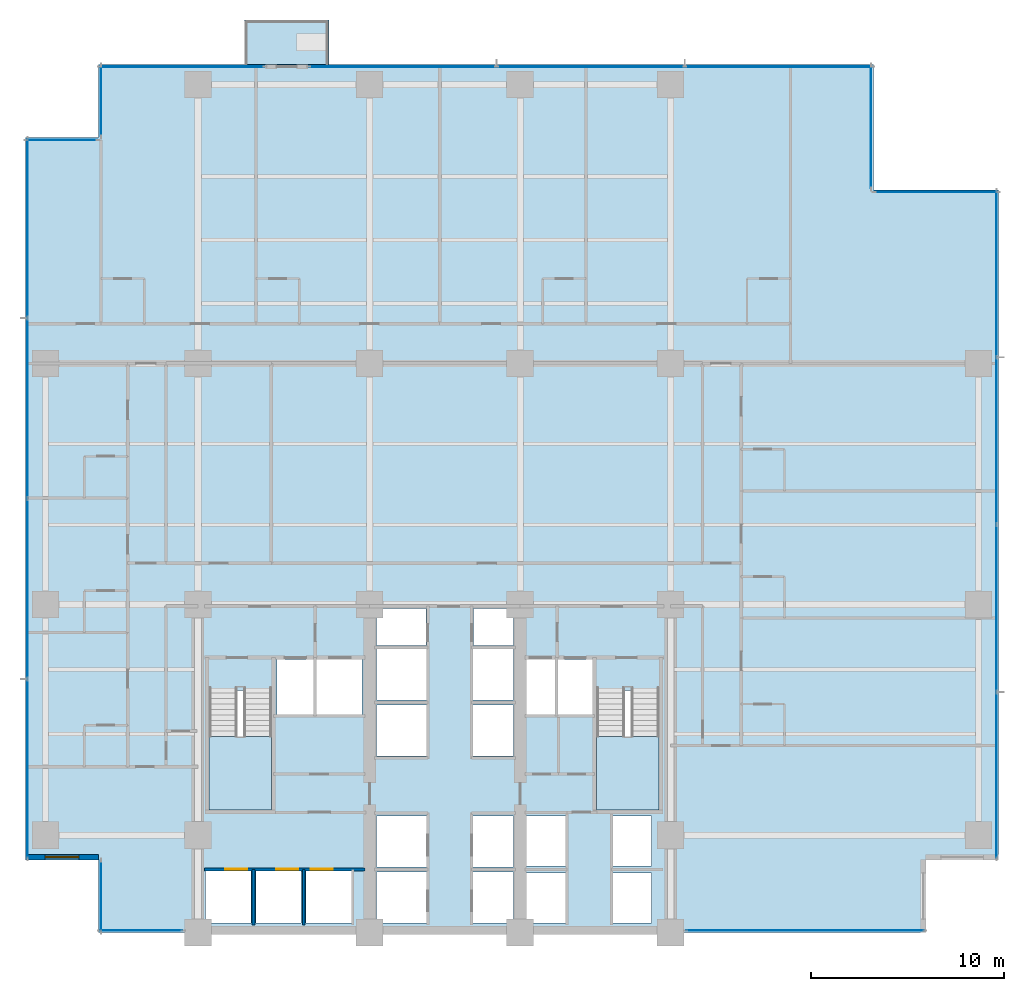
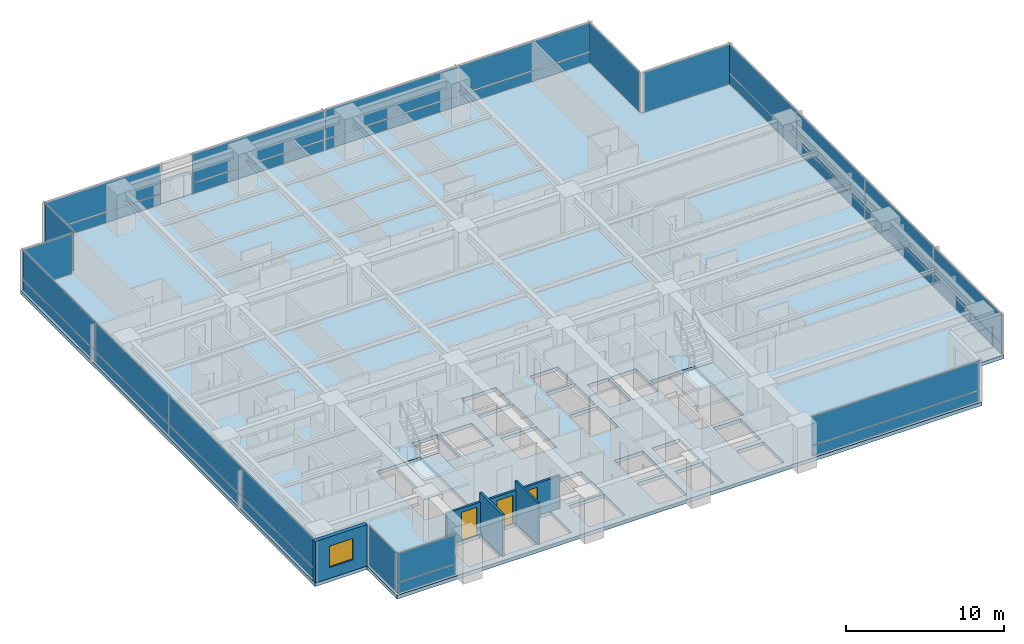
# One storey, part 6 of 17: 33 plates, 4 slabs, 4 walls, 3 doors, 1 window, 4 openings, 13 elements without a shape of their own.
"""IFC4 building model written with IfcOpenShell, lengths in metres."""

from ifc_helpers import new_model, si_unit, direction, frame, frame_2d, origin, origin_2d, place, context, subcontext, project, spatial, polyline, rectangle, outline, extrude, material, layer, layer_set, type_object, element, fill, aggregate, save


model = new_model("IFC4")

# Units and contexts
model_context = context("Model", 3, precision=1e-05, world=origin(), true_north=direction((0.0, 1.0)))
body_context = subcontext(model_context, "Body", "Model", "MODEL_VIEW")
ifc_project = project(units=[si_unit("LENGTHUNIT", "METRE"), si_unit("AREAUNIT", "SQUARE_METRE"), si_unit("VOLUMEUNIT", "CUBIC_METRE"), si_unit("PLANEANGLEUNIT", "RADIAN"), si_unit("MASSUNIT", "GRAM", prefix="KILO")], contexts=[model_context])

# Site, building, storey
site_placement = place(None, origin())
site = spatial("IfcSite", under=ifc_project, at=site_placement, CompositionType="ELEMENT")
building_placement = place(site_placement, origin())
building = spatial("IfcBuilding", under=site, at=building_placement, Name="Qalmaran Belvedere Hotel", CompositionType="ELEMENT")
storey_placement = place(building_placement, frame((0.0, 0.0, 68.39990234375)))
storey = spatial("IfcBuildingStorey", under=building, at=storey_placement, Name="L17", CompositionType="ELEMENT", Elevation=68.39990234375)

# Curtain wall, plate
ifc_material_1 = material(Name="Anodised Bronze Aluminium", Category="aluminium")
ifc_layer_1 = layer(ifc_material_1, 0.2099609375, Name="Anodised Bronze Aluminium")
ifc_layer_set_1 = layer_set([ifc_layer_1], Name="Anodised Bronze Aluminium")
curtain_wall_type = type_object("IfcCurtainWallType", Name="CW2-TOWER-LOWER", PredefinedType="NOTDEFINED", material=ifc_layer_set_1)
curtain_wall_1_placement = place(storey_placement, origin())
curtain_wall_1 = element("IfcCurtainWall", 1, at=curtain_wall_1_placement, inside=storey, type_object=curtain_wall_type, Name="L17 Curtain Wall CW2", PredefinedType="NOTDEFINED")
ifc_material_2 = material(Name="Anodised Bronze Spandrel Panel")
ifc_layer_2 = layer(ifc_material_2, 0.035888671875, Name="Anodised Bronze Spandrel Panel")
ifc_layer_set_2 = layer_set([ifc_layer_2], Name="Anodised Bronze Spandrel Panel")
plate_type_1 = type_object("IfcPlateType", Name="CWP-SPANDREL-36", PredefinedType="CURTAIN_PANEL", material=ifc_layer_set_2)
plate_1_placement = place(storey_placement, frame((17.35498046875, 3.6201171875, 0.0703125), z_axis=(0.0, 0.0, 1.0), x_axis=(1.0, 0.0, 0.0)))
plate_1 = element("IfcPlate", 2, at=plate_1_placement, type_object=plate_type_1, Name="CW2 panel 1.1", PredefinedType="CURTAIN_PANEL", context=body_context, shape_type="SweptSolid", body=[
    extrude(rectangle(XDim=4.260009765625, YDim=0.035888671875, at=origin_2d()), origin(), (0.0, 0.0, 1.0), 0.796630859375),
])

curtain_wall_2_placement = place(storey_placement, origin())
curtain_wall_2 = element("IfcCurtainWall", 3, at=curtain_wall_2_placement, inside=storey, type_object=curtain_wall_type, Name="L17 Curtain Wall CW2", PredefinedType="NOTDEFINED")
plate_2_placement = place(storey_placement, frame((51.77001953125, 3.6201171875, 0.0703125), z_axis=(0.0, 0.0, 1.0), x_axis=(1.0, 0.0, 0.0)))
plate_2 = element("IfcPlate", 4, at=plate_2_placement, type_object=plate_type_1, Name="CW2 panel 1.1", PredefinedType="CURTAIN_PANEL", context=body_context, shape_type="SweptSolid", body=[
    extrude(rectangle(XDim=12.31005859375, YDim=0.035888671875, at=origin_2d()), origin(), (0.0, 0.0, 1.0), 0.796630859375),
])

# Curtain wall, plates
curtain_wall_3_placement = place(storey_placement, origin())
curtain_wall_3 = element("IfcCurtainWall", 5, at=curtain_wall_3_placement, inside=storey, type_object=curtain_wall_type, Name="L17 Curtain Wall CW2", PredefinedType="NOTDEFINED")
plate_3_placement = place(storey_placement, frame((61.679931640625, 11.65625, 0.0703125), z_axis=(0.0, 0.0, 1.0), x_axis=(0.0, 1.0, 0.0)))
plate_3 = element("IfcPlate", 6, at=plate_3_placement, type_object=plate_type_1, Name="CW2 panel 1.1", PredefinedType="CURTAIN_PANEL", context=body_context, shape_type="SweptSolid", body=[
    extrude(rectangle(XDim=8.5625, YDim=0.035888671875, at=origin_2d()), origin(), (0.0, 0.0, 1.0), 0.796630859375),
])
plate_4_placement = place(storey_placement, frame((61.679931640625, 20.3125, 0.0703125), z_axis=(0.0, 0.0, 1.0), x_axis=(0.0, 1.0, 0.0)))
plate_4 = element("IfcPlate", 7, at=plate_4_placement, type_object=plate_type_1, Name="CW2 panel 2.1", PredefinedType="CURTAIN_PANEL", context=body_context, shape_type="SweptSolid", body=[
    extrude(rectangle(XDim=8.60009765625, YDim=0.035888671875, at=origin_2d()), origin(), (0.0, 0.0, 1.0), 0.796630859375),
])
plate_5_placement = place(storey_placement, frame((61.679931640625, 28.987548828125, 0.0703125), z_axis=(0.0, 0.0, 1.0), x_axis=(0.0, 1.0, 0.0)))
plate_5 = element("IfcPlate", 8, at=plate_5_placement, type_object=plate_type_1, Name="CW2 panel 3.1", PredefinedType="CURTAIN_PANEL", context=body_context, shape_type="SweptSolid", body=[
    extrude(rectangle(XDim=8.60009765625, YDim=0.035888671875, at=origin_2d()), origin(), (0.0, 0.0, 1.0), 0.796630859375),
])
plate_6_placement = place(storey_placement, frame((61.679931640625, 37.643798828125, 0.0703125), z_axis=(0.0, 0.0, 1.0), x_axis=(0.0, 1.0, 0.0)))
plate_6 = element("IfcPlate", 9, at=plate_6_placement, type_object=plate_type_1, Name="CW2 panel 4.1", PredefinedType="CURTAIN_PANEL", context=body_context, shape_type="SweptSolid", body=[
    extrude(rectangle(XDim=8.5625, YDim=0.035888671875, at=origin_2d()), origin(), (0.0, 0.0, 1.0), 0.796630859375),
])

# Curtain wall, plate
curtain_wall_4_placement = place(storey_placement, origin())
curtain_wall_4 = element("IfcCurtainWall", 10, at=curtain_wall_4_placement, inside=storey, type_object=curtain_wall_type, Name="L17 Curtain Wall CW2", PredefinedType="NOTDEFINED")
plate_7_placement = place(storey_placement, frame((19.47509765625, 48.3798828125, 0.0703125), z_axis=(0.0, 0.0, 1.0), x_axis=(-1.0, 0.0, 0.0)))
plate_7 = element("IfcPlate", 11, at=plate_7_placement, type_object=plate_type_1, Name="CW2 panel 1.1", PredefinedType="CURTAIN_PANEL", context=body_context, shape_type="SweptSolid", body=[
    extrude(rectangle(XDim=8.5, YDim=0.035888671875, at=origin_2d()), origin(), (0.0, 0.0, 1.0), 0.796630859375),
])

# Curtain wall, plates
curtain_wall_5_placement = place(storey_placement, origin())
curtain_wall_5 = element("IfcCurtainWall", 12, at=curtain_wall_5_placement, inside=storey, type_object=curtain_wall_type, Name="L17 Curtain Wall CW2", PredefinedType="NOTDEFINED")
plate_8_placement = place(storey_placement, frame((50.39794921875, 48.3798828125, 0.0703125), z_axis=(0.0, 0.0, 1.0), x_axis=(-1.0, 0.0, 0.0)))
plate_8 = element("IfcPlate", 13, at=plate_8_placement, type_object=plate_type_1, Name="CW2 panel 1.1", PredefinedType="CURTAIN_PANEL", context=body_context, shape_type="SweptSolid", body=[
    extrude(rectangle(XDim=9.654052734375, YDim=0.035888671875, at=origin_2d()), origin(), (0.0, 0.0, 1.0), 0.796630859375),
])
plate_9_placement = place(storey_placement, frame((40.64990234375, 48.3798828125, 0.0703125), z_axis=(0.0, 0.0, 1.0), x_axis=(-1.0, 0.0, 0.0)))
plate_9 = element("IfcPlate", 14, at=plate_9_placement, type_object=plate_type_1, Name="CW2 panel 2.1", PredefinedType="CURTAIN_PANEL", context=body_context, shape_type="SweptSolid", body=[
    extrude(rectangle(XDim=9.691650390625, YDim=0.035888671875, at=origin_2d()), origin(), (0.0, 0.0, 1.0), 0.796630859375),
])
plate_10_placement = place(storey_placement, frame((30.902099609375, 48.3798828125, 0.0703125), z_axis=(0.0, 0.0, 1.0), x_axis=(-1.0, 0.0, 0.0)))
plate_10 = element("IfcPlate", 15, at=plate_10_placement, type_object=plate_type_1, Name="CW2 panel 3.1", PredefinedType="CURTAIN_PANEL", context=body_context, shape_type="SweptSolid", body=[
    extrude(rectangle(XDim=9.654052734375, YDim=0.035888671875, at=origin_2d()), origin(), (0.0, 0.0, 1.0), 0.796630859375),
])

curtain_wall_6_placement = place(storey_placement, origin())
curtain_wall_6 = element("IfcCurtainWall", 16, at=curtain_wall_6_placement, inside=storey, type_object=curtain_wall_type, Name="L17 Curtain Wall CW2", PredefinedType="NOTDEFINED")
plate_11_placement = place(storey_placement, frame((11.469970703125, 40.00634765625, 0.0703125), z_axis=(0.0, 0.0, 1.0), x_axis=(0.0, -1.0, 0.0)))
plate_11 = element("IfcPlate", 17, at=plate_11_placement, type_object=plate_type_1, Name="CW2 panel 1.1", PredefinedType="CURTAIN_PANEL", context=body_context, shape_type="SweptSolid", body=[
    extrude(rectangle(XDim=9.237548828125, YDim=0.035888671875, at=origin_2d()), origin(), (0.0, 0.0, 1.0), 0.796630859375),
])
plate_12_placement = place(storey_placement, frame((11.469970703125, 30.675048828125, 0.0703125), z_axis=(0.0, 0.0, 1.0), x_axis=(0.0, -1.0, 0.0)))
plate_12 = element("IfcPlate", 18, at=plate_12_placement, type_object=plate_type_1, Name="CW2 panel 2.1", PredefinedType="CURTAIN_PANEL", context=body_context, shape_type="SweptSolid", body=[
    extrude(rectangle(XDim=9.27490234375, YDim=0.035888671875, at=origin_2d()), origin(), (0.0, 0.0, 1.0), 0.796630859375),
])
plate_13_placement = place(storey_placement, frame((11.469970703125, 21.324951171875, 0.0703125), z_axis=(0.0, 0.0, 1.0), x_axis=(0.0, -1.0, 0.0)))
plate_13 = element("IfcPlate", 19, at=plate_13_placement, type_object=plate_type_1, Name="CW2 panel 3.1", PredefinedType="CURTAIN_PANEL", context=body_context, shape_type="SweptSolid", body=[
    extrude(rectangle(XDim=9.27490234375, YDim=0.035888671875, at=origin_2d()), origin(), (0.0, 0.0, 1.0), 0.796630859375),
])
plate_14_placement = place(storey_placement, frame((11.469970703125, 11.99365234375, 0.0703125), z_axis=(0.0, 0.0, 1.0), x_axis=(0.0, -1.0, 0.0)))
plate_14 = element("IfcPlate", 20, at=plate_14_placement, type_object=plate_type_1, Name="CW2 panel 4.1", PredefinedType="CURTAIN_PANEL", context=body_context, shape_type="SweptSolid", body=[
    extrude(rectangle(XDim=9.237548828125, YDim=0.035888671875, at=origin_2d()), origin(), (0.0, 0.0, 1.0), 0.796630859375),
])

# Plate
ifc_material_3 = material(Name="Solar-Control Double Glazing", Category="glass")
ifc_layer_3 = layer(ifc_material_3, 0.028076171875, Name="Solar-Control Double Glazing")
ifc_layer_set_3 = layer_set([ifc_layer_3], Name="Solar-Control Double Glazing")
plate_type_2 = type_object("IfcPlateType", Name="CWP-VISION-28", PredefinedType="CURTAIN_PANEL", material=ifc_layer_set_3)
plate_15_placement = place(storey_placement, frame((17.35498046875, 3.6201171875, 0.936767578125), z_axis=(0.0, 0.0, 1.0), x_axis=(1.0, 0.0, 0.0)))
plate_15 = element("IfcPlate", 21, at=plate_15_placement, type_object=plate_type_2, Name="CW2 panel 1.2", PredefinedType="CURTAIN_PANEL", context=body_context, shape_type="SweptSolid", body=[
    extrude(rectangle(XDim=4.260009765625, YDim=0.028076171875, at=origin_2d()), origin(), (0.0, 0.0, 1.0), 2.21337890625),
])

aggregate(curtain_wall_1, [plate_1, plate_15])

plate_16_placement = place(storey_placement, frame((51.77001953125, 3.6201171875, 0.936767578125), z_axis=(0.0, 0.0, 1.0), x_axis=(1.0, 0.0, 0.0)))
plate_16 = element("IfcPlate", 22, at=plate_16_placement, type_object=plate_type_2, Name="CW2 panel 1.2", PredefinedType="CURTAIN_PANEL", context=body_context, shape_type="SweptSolid", body=[
    extrude(rectangle(XDim=12.31005859375, YDim=0.028076171875, at=origin_2d()), origin(), (0.0, 0.0, 1.0), 2.21337890625),
])

aggregate(curtain_wall_2, [plate_2, plate_16])

plate_17_placement = place(storey_placement, frame((61.679931640625, 11.65625, 0.936767578125), z_axis=(0.0, 0.0, 1.0), x_axis=(0.0, 1.0, 0.0)))
plate_17 = element("IfcPlate", 23, at=plate_17_placement, type_object=plate_type_2, Name="CW2 panel 1.2", PredefinedType="CURTAIN_PANEL", context=body_context, shape_type="SweptSolid", body=[
    extrude(rectangle(XDim=8.5625, YDim=0.028076171875, at=origin_2d()), origin(), (0.0, 0.0, 1.0), 2.21337890625),
])

plate_18_placement = place(storey_placement, frame((61.679931640625, 20.3125, 0.936767578125), z_axis=(0.0, 0.0, 1.0), x_axis=(0.0, 1.0, 0.0)))
plate_18 = element("IfcPlate", 24, at=plate_18_placement, type_object=plate_type_2, Name="CW2 panel 2.2", PredefinedType="CURTAIN_PANEL", context=body_context, shape_type="SweptSolid", body=[
    extrude(rectangle(XDim=8.60009765625, YDim=0.028076171875, at=origin_2d()), origin(), (0.0, 0.0, 1.0), 2.21337890625),
])

plate_19_placement = place(storey_placement, frame((61.679931640625, 28.987548828125, 0.936767578125), z_axis=(0.0, 0.0, 1.0), x_axis=(0.0, 1.0, 0.0)))
plate_19 = element("IfcPlate", 25, at=plate_19_placement, type_object=plate_type_2, Name="CW2 panel 3.2", PredefinedType="CURTAIN_PANEL", context=body_context, shape_type="SweptSolid", body=[
    extrude(rectangle(XDim=8.60009765625, YDim=0.028076171875, at=origin_2d()), origin(), (0.0, 0.0, 1.0), 2.21337890625),
])

plate_20_placement = place(storey_placement, frame((61.679931640625, 37.643798828125, 0.936767578125), z_axis=(0.0, 0.0, 1.0), x_axis=(0.0, 1.0, 0.0)))
plate_20 = element("IfcPlate", 26, at=plate_20_placement, type_object=plate_type_2, Name="CW2 panel 4.2", PredefinedType="CURTAIN_PANEL", context=body_context, shape_type="SweptSolid", body=[
    extrude(rectangle(XDim=8.5625, YDim=0.028076171875, at=origin_2d()), origin(), (0.0, 0.0, 1.0), 2.21337890625),
])

aggregate(curtain_wall_3, [plate_3, plate_17, plate_4, plate_18, plate_5, plate_19, plate_6, plate_20])

# Curtain wall, plate
curtain_wall_7_placement = place(storey_placement, origin())
curtain_wall_7 = element("IfcCurtainWall", 27, at=curtain_wall_7_placement, inside=storey, type_object=curtain_wall_type, Name="L17 Curtain Wall CW2", PredefinedType="NOTDEFINED")
plate_21_placement = place(storey_placement, frame((58.550048828125, 41.8798828125, 0.070068359375), z_axis=(0.0, 0.0, 1.0), x_axis=(-1.0, 0.0, 0.0)))
plate_21 = element("IfcPlate", 28, at=plate_21_placement, type_object=plate_type_2, Name="CW2 panel 1.1", PredefinedType="CURTAIN_PANEL", context=body_context, shape_type="SweptSolid", body=[
    extrude(rectangle(XDim=6.35009765625, YDim=0.028076171875, at=origin_2d()), origin(), (0.0, 0.0, 1.0), 3.080078125),
])
aggregate(curtain_wall_7, [plate_21])

curtain_wall_8_placement = place(storey_placement, origin())
curtain_wall_8 = element("IfcCurtainWall", 29, at=curtain_wall_8_placement, inside=storey, type_object=curtain_wall_type, Name="L17 Curtain Wall CW2", PredefinedType="NOTDEFINED")
plate_22_placement = place(storey_placement, frame((55.179931640625, 45.25, 0.070068359375), z_axis=(0.0, 0.0, 1.0), x_axis=(0.0, 1.0, 0.0)))
plate_22 = element("IfcPlate", 30, at=plate_22_placement, type_object=plate_type_2, Name="CW2 panel 1.1", PredefinedType="CURTAIN_PANEL", context=body_context, shape_type="SweptSolid", body=[
    extrude(rectangle(XDim=6.35009765625, YDim=0.028076171875, at=origin_2d()), origin(), (0.0, 0.0, 1.0), 3.080078125),
])
aggregate(curtain_wall_8, [plate_22])

# Plate
plate_23_placement = place(storey_placement, frame((19.47509765625, 48.3798828125, 0.936767578125), z_axis=(0.0, 0.0, 1.0), x_axis=(-1.0, 0.0, 0.0)))
plate_23 = element("IfcPlate", 31, at=plate_23_placement, type_object=plate_type_2, Name="CW2 panel 1.2", PredefinedType="CURTAIN_PANEL", context=body_context, shape_type="SweptSolid", body=[
    extrude(rectangle(XDim=8.5, YDim=0.028076171875, at=origin_2d()), origin(), (0.0, 0.0, 1.0), 2.21337890625),
])

aggregate(curtain_wall_4, [plate_7, plate_23])

plate_24_placement = place(storey_placement, frame((50.39794921875, 48.3798828125, 0.936767578125), z_axis=(0.0, 0.0, 1.0), x_axis=(-1.0, 0.0, 0.0)))
plate_24 = element("IfcPlate", 32, at=plate_24_placement, type_object=plate_type_2, Name="CW2 panel 1.2", PredefinedType="CURTAIN_PANEL", context=body_context, shape_type="SweptSolid", body=[
    extrude(rectangle(XDim=9.654052734375, YDim=0.028076171875, at=origin_2d()), origin(), (0.0, 0.0, 1.0), 2.21337890625),
])

plate_25_placement = place(storey_placement, frame((40.64990234375, 48.3798828125, 0.936767578125), z_axis=(0.0, 0.0, 1.0), x_axis=(-1.0, 0.0, 0.0)))
plate_25 = element("IfcPlate", 33, at=plate_25_placement, type_object=plate_type_2, Name="CW2 panel 2.2", PredefinedType="CURTAIN_PANEL", context=body_context, shape_type="SweptSolid", body=[
    extrude(rectangle(XDim=9.691650390625, YDim=0.028076171875, at=origin_2d()), origin(), (0.0, 0.0, 1.0), 2.21337890625),
])

plate_26_placement = place(storey_placement, frame((30.902099609375, 48.3798828125, 0.936767578125), z_axis=(0.0, 0.0, 1.0), x_axis=(-1.0, 0.0, 0.0)))
plate_26 = element("IfcPlate", 34, at=plate_26_placement, type_object=plate_type_2, Name="CW2 panel 3.2", PredefinedType="CURTAIN_PANEL", context=body_context, shape_type="SweptSolid", body=[
    extrude(rectangle(XDim=9.654052734375, YDim=0.028076171875, at=origin_2d()), origin(), (0.0, 0.0, 1.0), 2.21337890625),
])

aggregate(curtain_wall_5, [plate_8, plate_24, plate_9, plate_25, plate_10, plate_26])

# Curtain wall, plate
curtain_wall_9_placement = place(storey_placement, origin())
curtain_wall_9 = element("IfcCurtainWall", 35, at=curtain_wall_9_placement, inside=storey, type_object=curtain_wall_type, Name="L17 Curtain Wall CW2", PredefinedType="NOTDEFINED")
plate_27_placement = place(storey_placement, frame((15.27001953125, 46.60009765625, 0.070068359375), z_axis=(0.0, 0.0, 1.0), x_axis=(0.0, -1.0, 0.0)))
plate_27 = element("IfcPlate", 36, at=plate_27_placement, type_object=plate_type_2, Name="CW2 panel 1.1", PredefinedType="CURTAIN_PANEL", context=body_context, shape_type="SweptSolid", body=[
    extrude(rectangle(XDim=3.64990234375, YDim=0.028076171875, at=origin_2d()), origin(), (0.0, 0.0, 1.0), 3.080078125),
])
aggregate(curtain_wall_9, [plate_27])

curtain_wall_10_placement = place(storey_placement, origin())
curtain_wall_10 = element("IfcCurtainWall", 37, at=curtain_wall_10_placement, inside=storey, type_object=curtain_wall_type, Name="L17 Curtain Wall CW2", PredefinedType="NOTDEFINED")
plate_28_placement = place(storey_placement, frame((13.25, 44.580078125, 0.070068359375), z_axis=(0.0, 0.0, 1.0), x_axis=(-1.0, 0.0, 0.0)))
plate_28 = element("IfcPlate", 38, at=plate_28_placement, type_object=plate_type_2, Name="CW2 panel 1.1", PredefinedType="CURTAIN_PANEL", context=body_context, shape_type="SweptSolid", body=[
    extrude(rectangle(XDim=3.64990234375, YDim=0.028076171875, at=origin_2d()), origin(), (0.0, 0.0, 1.0), 3.080078125),
])
aggregate(curtain_wall_10, [plate_28])

# Plate
plate_29_placement = place(storey_placement, frame((11.469970703125, 40.00634765625, 0.936767578125), z_axis=(0.0, 0.0, 1.0), x_axis=(0.0, -1.0, 0.0)))
plate_29 = element("IfcPlate", 39, at=plate_29_placement, type_object=plate_type_2, Name="CW2 panel 1.2", PredefinedType="CURTAIN_PANEL", context=body_context, shape_type="SweptSolid", body=[
    extrude(rectangle(XDim=9.237548828125, YDim=0.028076171875, at=origin_2d()), origin(), (0.0, 0.0, 1.0), 2.21337890625),
])

plate_30_placement = place(storey_placement, frame((11.469970703125, 30.675048828125, 0.936767578125), z_axis=(0.0, 0.0, 1.0), x_axis=(0.0, -1.0, 0.0)))
plate_30 = element("IfcPlate", 40, at=plate_30_placement, type_object=plate_type_2, Name="CW2 panel 2.2", PredefinedType="CURTAIN_PANEL", context=body_context, shape_type="SweptSolid", body=[
    extrude(rectangle(XDim=9.27490234375, YDim=0.028076171875, at=origin_2d()), origin(), (0.0, 0.0, 1.0), 2.21337890625),
])

plate_31_placement = place(storey_placement, frame((11.469970703125, 21.324951171875, 0.936767578125), z_axis=(0.0, 0.0, 1.0), x_axis=(0.0, -1.0, 0.0)))
plate_31 = element("IfcPlate", 41, at=plate_31_placement, type_object=plate_type_2, Name="CW2 panel 3.2", PredefinedType="CURTAIN_PANEL", context=body_context, shape_type="SweptSolid", body=[
    extrude(rectangle(XDim=9.27490234375, YDim=0.028076171875, at=origin_2d()), origin(), (0.0, 0.0, 1.0), 2.21337890625),
])

plate_32_placement = place(storey_placement, frame((11.469970703125, 11.99365234375, 0.936767578125), z_axis=(0.0, 0.0, 1.0), x_axis=(0.0, -1.0, 0.0)))
plate_32 = element("IfcPlate", 42, at=plate_32_placement, type_object=plate_type_2, Name="CW2 panel 4.2", PredefinedType="CURTAIN_PANEL", context=body_context, shape_type="SweptSolid", body=[
    extrude(rectangle(XDim=9.237548828125, YDim=0.028076171875, at=origin_2d()), origin(), (0.0, 0.0, 1.0), 2.21337890625),
])

aggregate(curtain_wall_6, [plate_11, plate_29, plate_12, plate_30, plate_13, plate_31, plate_14, plate_32])

# Curtain wall, plate
curtain_wall_11_placement = place(storey_placement, origin())
curtain_wall_11 = element("IfcCurtainWall", 43, at=curtain_wall_11_placement, inside=storey, type_object=curtain_wall_type, Name="L17 Curtain Wall CW2", PredefinedType="NOTDEFINED")
plate_33_placement = place(storey_placement, frame((15.27001953125, 5.39990234375, 0.070068359375), z_axis=(0.0, 0.0, 1.0), x_axis=(0.0, -1.0, 0.0)))
plate_33 = element("IfcPlate", 44, at=plate_33_placement, type_object=plate_type_2, Name="CW2 panel 1.1", PredefinedType="CURTAIN_PANEL", context=body_context, shape_type="SweptSolid", body=[
    extrude(rectangle(XDim=3.64990234375, YDim=0.028076171875, at=origin_2d()), origin(), (0.0, 0.0, 1.0), 3.080078125),
])
aggregate(curtain_wall_11, [plate_33])

# Slab
ifc_material_4 = material(Name="Concrete C40/50", Category="concrete")
ifc_layer_4 = layer(ifc_material_4, 0.219970703125, Name="Concrete C40/50")
ifc_layer_set_4 = layer_set([ifc_layer_4], Name="Concrete C40/50")
slab_type_1 = type_object("IfcSlabType", Name="SLB-BAL-220", PredefinedType="USERDEFINED", material=ifc_layer_set_4)
slab_1_placement = place(storey_placement, frame((0.0, 0.0, -0.219970703125)))
element("IfcSlab", 45, at=slab_1_placement, inside=storey, type_object=slab_type_1, Name="L17 Planted Tree Balcony Slab 1", ObjectType="BALCONY", PredefinedType="USERDEFINED", context=body_context, shape_type="SweptSolid", body=[
    extrude(outline(polyline([(22.699951171875, 48.5), (27.10009765625, 48.5), (27.10009765625, 50.800048828125), (22.699951171875, 50.800048828125), (22.699951171875, 48.5)])), origin(), (0.0, 0.0, 1.0), 0.219970703125),
])

# Stair, slab
stair_type_1 = type_object("IfcStairType", Name="STR-ST-1-1450-R1750", PredefinedType="HALF_TURN_STAIR", material=ifc_material_4)
stair_1_placement = place(storey_placement, origin())
stair_1 = element("IfcStair", 46, at=stair_1_placement, inside=storey, type_object=stair_type_1, Name="L17 West Core Exit Stair ST-1", PredefinedType="HALF_TURN_STAIR")
ifc_layer_5 = layer(ifc_material_4, 0.199951171875, Name="Concrete C40/50")
ifc_layer_set_5 = layer_set([ifc_layer_5], Name="Concrete C40/50")
slab_type_2 = type_object("IfcSlabType", Name="SLB-STAIR-LANDING-200", PredefinedType="LANDING", material=ifc_layer_set_5)
slab_2_placement = place(storey_placement, frame((0.0, 0.0, 1.550048828125)))
slab_2 = element("IfcSlab", 47, at=slab_2_placement, type_object=slab_type_2, Name="ST-1 landing 1", PredefinedType="LANDING", context=body_context, shape_type="SweptSolid", body=[
    extrude(outline(polyline([(20.8798828125, 13.669921875), (20.8798828125, 9.85009765625), (24.1201171875, 9.85009765625), (24.1201171875, 13.669921875), (20.8798828125, 13.669921875)])), origin(), (0.0, 0.0, 1.0), 0.199951171875),
])
aggregate(stair_1, [slab_2])

stair_type_2 = type_object("IfcStairType", Name="STR-ST-2-1450-R1750", PredefinedType="HALF_TURN_STAIR", material=ifc_material_4)
stair_2_placement = place(storey_placement, origin())
stair_2 = element("IfcStair", 48, at=stair_2_placement, inside=storey, type_object=stair_type_2, Name="L17 East Core Exit Stair ST-2", PredefinedType="HALF_TURN_STAIR")
slab_3_placement = place(storey_placement, frame((0.0, 0.0, 1.550048828125)))
slab_3 = element("IfcSlab", 49, at=slab_3_placement, type_object=slab_type_2, Name="ST-2 landing 1", PredefinedType="LANDING", context=body_context, shape_type="SweptSolid", body=[
    extrude(outline(polyline([(40.9599609375, 13.669921875), (40.9599609375, 9.85009765625), (44.199951171875, 9.85009765625), (44.199951171875, 13.669921875), (40.9599609375, 13.669921875)])), origin(), (0.0, 0.0, 1.0), 0.199951171875),
])
aggregate(stair_2, [slab_3])

# Slab
ifc_layer_6 = layer(ifc_material_4, 0.280029296875, Name="Concrete C40/50")
ifc_layer_set_6 = layer_set([ifc_layer_6], Name="Concrete C40/50")
slab_type_3 = type_object("IfcSlabType", Name="SLB-Z1-280", PredefinedType="FLOOR", material=ifc_layer_set_6)
slab_4_placement = place(storey_placement, frame((0.0, 0.0, -0.27978515625)))
element("IfcSlab", 50, at=slab_4_placement, inside=storey, type_object=slab_type_3, Name="L17 Structural Floor Slab", PredefinedType="FLOOR", context=body_context, shape_type="SweptSolid", body=[
    extrude(outline(polyline([(15.14990234375, 3.5), (58.0, 3.5), (58.0, 7.300048828125), (61.800048828125, 7.300048828125), (61.800048828125, 42.0), (55.300048828125, 42.0), (55.300048828125, 48.5), (15.14990234375, 48.5), (15.14990234375, 44.699951171875), (11.35009765625, 44.699951171875), (11.35009765625, 7.300048828125), (15.14990234375, 7.300048828125), (15.14990234375, 3.5)]), holes=[polyline([(20.8798828125, 9.85009765625), (24.1201171875, 9.85009765625), (24.1201171875, 16.0400390625), (20.8798828125, 16.0400390625), (20.8798828125, 9.85009765625)]), polyline([(40.9599609375, 9.85009765625), (44.199951171875, 9.85009765625), (44.199951171875, 16.0400390625), (40.9599609375, 16.0400390625), (40.9599609375, 9.85009765625)]), polyline([(29.544921875, 4.0), (32.14990234375, 4.0), (32.14990234375, 6.64990234375), (29.544921875, 6.64990234375), (29.544921875, 4.0)]), polyline([(29.544921875, 6.89990234375), (32.14990234375, 6.89990234375), (32.14990234375, 9.550048828125), (29.544921875, 9.550048828125), (29.544921875, 6.89990234375)]), polyline([(34.550048828125, 4.0), (36.655029296875, 4.0), (36.655029296875, 6.64990234375), (34.550048828125, 6.64990234375), (34.550048828125, 4.0)]), polyline([(34.550048828125, 6.89990234375), (36.655029296875, 6.89990234375), (36.655029296875, 9.550048828125), (34.550048828125, 9.550048828125), (34.550048828125, 6.89990234375)]), polyline([(29.544921875, 12.64990234375), (32.14990234375, 12.64990234375), (32.14990234375, 15.300048828125), (29.544921875, 15.300048828125), (29.544921875, 12.64990234375)]), polyline([(29.544921875, 15.550048828125), (32.14990234375, 15.550048828125), (32.14990234375, 18.199951171875), (29.544921875, 18.199951171875), (29.544921875, 15.550048828125)]), polyline([(34.550048828125, 12.64990234375), (36.655029296875, 12.64990234375), (36.655029296875, 15.300048828125), (34.550048828125, 15.300048828125), (34.550048828125, 12.64990234375)]), polyline([(34.550048828125, 15.550048828125), (36.655029296875, 15.550048828125), (36.655029296875, 18.199951171875), (34.550048828125, 18.199951171875), (34.550048828125, 15.550048828125)]), polyline([(37.300048828125, 4.0), (39.35009765625, 4.0), (39.35009765625, 6.60009765625), (37.300048828125, 6.60009765625), (37.300048828125, 4.0)]), polyline([(37.300048828125, 6.949951171875), (39.35009765625, 6.949951171875), (39.35009765625, 9.550048828125), (37.300048828125, 9.550048828125), (37.300048828125, 6.949951171875)]), polyline([(41.800048828125, 4.0), (43.800048828125, 4.0), (43.800048828125, 6.60009765625), (41.800048828125, 6.60009765625), (41.800048828125, 4.0)]), polyline([(41.800048828125, 6.949951171875), (43.800048828125, 6.949951171875), (43.800048828125, 9.550048828125), (41.800048828125, 9.550048828125), (41.800048828125, 6.949951171875)]), polyline([(20.699951171875, 4.0), (23.050048828125, 4.0), (23.050048828125, 6.699951171875), (20.699951171875, 6.699951171875), (20.699951171875, 4.0)]), polyline([(23.300048828125, 4.0), (25.64990234375, 4.0), (25.64990234375, 6.699951171875), (23.300048828125, 6.699951171875), (23.300048828125, 4.0)]), polyline([(25.89990234375, 4.0), (28.25, 4.0), (28.25, 6.699951171875), (25.89990234375, 6.699951171875), (25.89990234375, 4.0)]), polyline([(24.39990234375, 14.800048828125), (26.300048828125, 14.800048828125), (26.300048828125, 17.64990234375), (24.39990234375, 17.64990234375), (24.39990234375, 14.800048828125)]), polyline([(38.949951171875, 14.800048828125), (40.820068359375, 14.800048828125), (40.820068359375, 17.64990234375), (38.949951171875, 17.64990234375), (38.949951171875, 14.800048828125)]), polyline([(26.449951171875, 14.800048828125), (28.800048828125, 14.800048828125), (28.800048828125, 17.64990234375), (26.449951171875, 17.64990234375), (26.449951171875, 14.800048828125)]), polyline([(37.25, 14.800048828125), (38.800048828125, 14.800048828125), (38.800048828125, 17.64990234375), (37.25, 17.64990234375), (37.25, 14.800048828125)]), polyline([(29.544921875, 18.3798828125), (32.1201171875, 18.3798828125), (32.1201171875, 20.300048828125), (29.544921875, 20.300048828125), (29.544921875, 18.3798828125)]), polyline([(34.580078125, 18.3798828125), (36.655029296875, 18.3798828125), (36.655029296875, 20.300048828125), (34.580078125, 20.300048828125), (34.580078125, 18.3798828125)])]), origin(), (0.0, 0.0, 1.0), 0.27978515625),
])

# Wall, opening, window
ifc_material_5 = material(Name="Anodised Bronze Cladding")
ifc_layer_7 = layer(ifc_material_5, 0.280029296875, Name="Anodised Bronze Cladding")
ifc_layer_set_7 = layer_set([ifc_layer_7], Name="Anodised Bronze Cladding")
wall_type_1 = type_object("IfcWallType", Name="WL-EXT-BRNZ-280", PredefinedType="SOLIDWALL", material=ifc_layer_set_7)
wall_1_placement = place(storey_placement, frame((11.35009765625, 7.419921875, 0.0), z_axis=(0.0, 0.0, 1.0), x_axis=(1.0, 0.0, 0.0)))
wall_1 = element("IfcWall", 51, at=wall_1_placement, inside=storey, type_object=wall_type_1, Name="L17 Corner Notch Wall 10", PredefinedType="SOLIDWALL", context=body_context, shape_type="SweptSolid", body=[
    extrude(rectangle(XDim=3.7998046875, YDim=0.280029296875, at=frame_2d((1.89990234375, 0.0))), origin(), (0.0, 0.0, 1.0), 3.22021484375),
])
opening_1_placement = place(wall_1_placement, frame((1.02490234375, 0.0, 0.85009765625)))
opening_1 = element("IfcOpeningElement", 52, at=opening_1_placement, cuts=wall_1, Name="Opening W-N17", PredefinedType="OPENING", context=body_context, shape_type="SweptSolid", body=[
    extrude(rectangle(XDim=1.75, YDim=1.64990234375, at=frame_2d((0.875, 0.824951171875))), frame((0.0, 0.14990234375, 0.0), z_axis=(0.0, -1.0, 0.0), x_axis=(1.0, 0.0, 0.0)), (0.0, 0.0, 1.0), 0.300048828125),
])
window_type = type_object("IfcWindowType", Name="WN-NTC-1750X1650", PartitioningType="SINGLE_PANEL", PredefinedType="WINDOW", material=ifc_material_3)
window_placement = place(opening_1_placement, origin())
window = element("IfcWindow", 53, at=window_placement, inside=storey, type_object=window_type, Name="L17 Corner Notch Window 10", OverallHeight=1.64990234375, OverallWidth=1.75, PartitioningType="SINGLE_PANEL", PredefinedType="WINDOW", context=body_context, shape_type="SweptSolid", body=[
    extrude(rectangle(XDim=1.75, YDim=1.64990234375, at=frame_2d((0.875, 0.824951171875))), frame((0.0, 0.030029296875, 0.0), z_axis=(0.0, -1.0, 0.0), x_axis=(1.0, 0.0, 0.0)), (0.0, 0.0, 1.0), 0.06005859375),
])
fill(opening_1, window)

# Walls
ifc_material_6 = material(Name="Gypsum Stud Partition")
ifc_layer_8 = layer(ifc_material_6, 0.14990234375, Name="Gypsum Stud Partition")
ifc_layer_set_8 = layer_set([ifc_layer_8], Name="Gypsum Stud Partition")
wall_type_2 = type_object("IfcWallType", Name="WL-INT-150-EI120", PredefinedType="PARTITIONING", material=ifc_layer_set_8)
for number, where, z_axis, x_axis, name in (
    (54, (23.179931640625, 3.89990234375, 0.0), (0.0, 0.0, 1.0), (0.0, 1.0, 0.0), "L17 Partition WL-POM1-L17"),
    (55, (25.780029296875, 3.89990234375, 0.0), (0.0, 0.0, 1.0), (0.0, 1.0, 0.0), "L17 Partition WL-POM2-L17"),
):
    element("IfcWall", number, at=place(storey_placement, frame(where, z_axis=z_axis, x_axis=x_axis)), inside=storey, type_object=wall_type_2, Name=name, PredefinedType="PARTITIONING", context=body_context, shape_type="SweptSolid", body=[
        extrude(rectangle(XDim=2.880126953125, YDim=0.14990234375, at=frame_2d((1.43994140625, 0.0))), origin(), (0.0, 0.0, 1.0), 3.22021484375),
    ])

# Wall, openings, doors
ifc_layer_9 = layer(ifc_material_6, 0.159912109375, Name="Gypsum Stud Partition")
ifc_layer_set_9 = layer_set([ifc_layer_9], Name="Gypsum Stud Partition")
wall_type_3 = type_object("IfcWallType", Name="WL-INT-160-EI120", PredefinedType="PARTITIONING", material=ifc_layer_set_9)
wall_2_placement = place(storey_placement, frame((20.64990234375, 6.780029296875, 0.0), z_axis=(0.0, 0.0, 1.0), x_axis=(1.0, 0.0, 0.0)))
wall_2 = element("IfcWall", 56, at=wall_2_placement, inside=storey, type_object=wall_type_3, Name="L17 Partition WL-POS-L17", PredefinedType="PARTITIONING", context=body_context, shape_type="SweptSolid", body=[
    extrude(rectangle(XDim=8.300048828125, YDim=0.159912109375, at=frame_2d((4.14990234375, 0.0))), origin(), (0.0, 0.0, 1.0), 2.510009765625),
])
opening_2_placement = place(wall_2_placement, frame((3.69482421875, 0.0, 0.0)))
opening_2 = element("IfcOpeningElement", 57, at=opening_2_placement, cuts=wall_2, Name="Opening LD-PO", PredefinedType="OPENING", context=body_context, shape_type="SweptSolid", body=[
    extrude(rectangle(XDim=1.14990234375, YDim=2.199951171875, at=frame_2d((0.574951171875, 1.10009765625))), frame((0.0, 0.08984375, 0.0), z_axis=(0.0, -1.0, 0.0), x_axis=(1.0, 0.0, 0.0)), (0.0, 0.0, 1.0), 0.179931640625),
])
opening_3_placement = place(wall_2_placement, frame((5.4921875, 0.0, 0.0)))
opening_3 = element("IfcOpeningElement", 58, at=opening_3_placement, cuts=wall_2, Name="Opening LD-PO", PredefinedType="OPENING", context=body_context, shape_type="SweptSolid", body=[
    extrude(rectangle(XDim=1.14990234375, YDim=2.199951171875, at=frame_2d((0.574951171875, 1.10009765625))), frame((0.0, 0.08984375, 0.0), z_axis=(0.0, -1.0, 0.0), x_axis=(1.0, 0.0, 0.0)), (0.0, 0.0, 1.0), 0.179931640625),
])
opening_4_placement = place(wall_2_placement, frame((1.058837890625, 0.0, 0.0)))
opening_4 = element("IfcOpeningElement", 59, at=opening_4_placement, cuts=wall_2, Name="Opening LD-PO", PredefinedType="OPENING", context=body_context, shape_type="SweptSolid", body=[
    extrude(rectangle(XDim=1.14990234375, YDim=2.199951171875, at=frame_2d((0.574951171875, 1.10009765625))), frame((0.0, 0.08984375, 0.0), z_axis=(0.0, -1.0, 0.0), x_axis=(1.0, 0.0, 0.0)), (0.0, 0.0, 1.0), 0.179931640625),
])
door_type = type_object("IfcDoorType", Name="DR-LIFT-PO-1150X2200", OperationType="DOUBLE_DOOR_SLIDING", PredefinedType="DOOR", material=ifc_material_1)
door_1_placement = place(opening_2_placement, origin())
door_1 = element("IfcDoor", 60, at=door_1_placement, inside=storey, type_object=door_type, Name="L17 PO1 Shuttle Landing Door", OperationType="DOUBLE_DOOR_SLIDING", OverallHeight=2.199951171875, OverallWidth=1.14990234375, PredefinedType="DOOR", context=body_context, shape_type="SweptSolid", body=[
    extrude(rectangle(XDim=1.14990234375, YDim=2.199951171875, at=frame_2d((0.574951171875, 1.10009765625))), frame((0.0, 0.02490234375, 0.0), z_axis=(0.0, -1.0, 0.0), x_axis=(1.0, 0.0, 0.0)), (0.0, 0.0, 1.0), 0.050048828125),
])
fill(opening_2, door_1)
door_2_placement = place(opening_3_placement, origin())
door_2 = element("IfcDoor", 61, at=door_2_placement, inside=storey, type_object=door_type, Name="L17 PO2 Shuttle Landing Door", OperationType="DOUBLE_DOOR_SLIDING", OverallHeight=2.199951171875, OverallWidth=1.14990234375, PredefinedType="DOOR", context=body_context, shape_type="SweptSolid", body=[
    extrude(rectangle(XDim=1.14990234375, YDim=2.199951171875, at=frame_2d((0.574951171875, 1.10009765625))), frame((0.0, 0.02490234375, 0.0), z_axis=(0.0, -1.0, 0.0), x_axis=(1.0, 0.0, 0.0)), (0.0, 0.0, 1.0), 0.050048828125),
])
fill(opening_3, door_2)
door_3_placement = place(opening_4_placement, origin())
door_3 = element("IfcDoor", 62, at=door_3_placement, inside=storey, type_object=door_type, Name="L17 PO3 Shuttle Landing Door", OperationType="DOUBLE_DOOR_SLIDING", OverallHeight=2.199951171875, OverallWidth=1.14990234375, PredefinedType="DOOR", context=body_context, shape_type="SweptSolid", body=[
    extrude(rectangle(XDim=1.14990234375, YDim=2.199951171875, at=frame_2d((0.574951171875, 1.10009765625))), frame((0.0, 0.02490234375, 0.0), z_axis=(0.0, -1.0, 0.0), x_axis=(1.0, 0.0, 0.0)), (0.0, 0.0, 1.0), 0.050048828125),
])
fill(opening_4, door_3)

save(model, "model.ifc")
